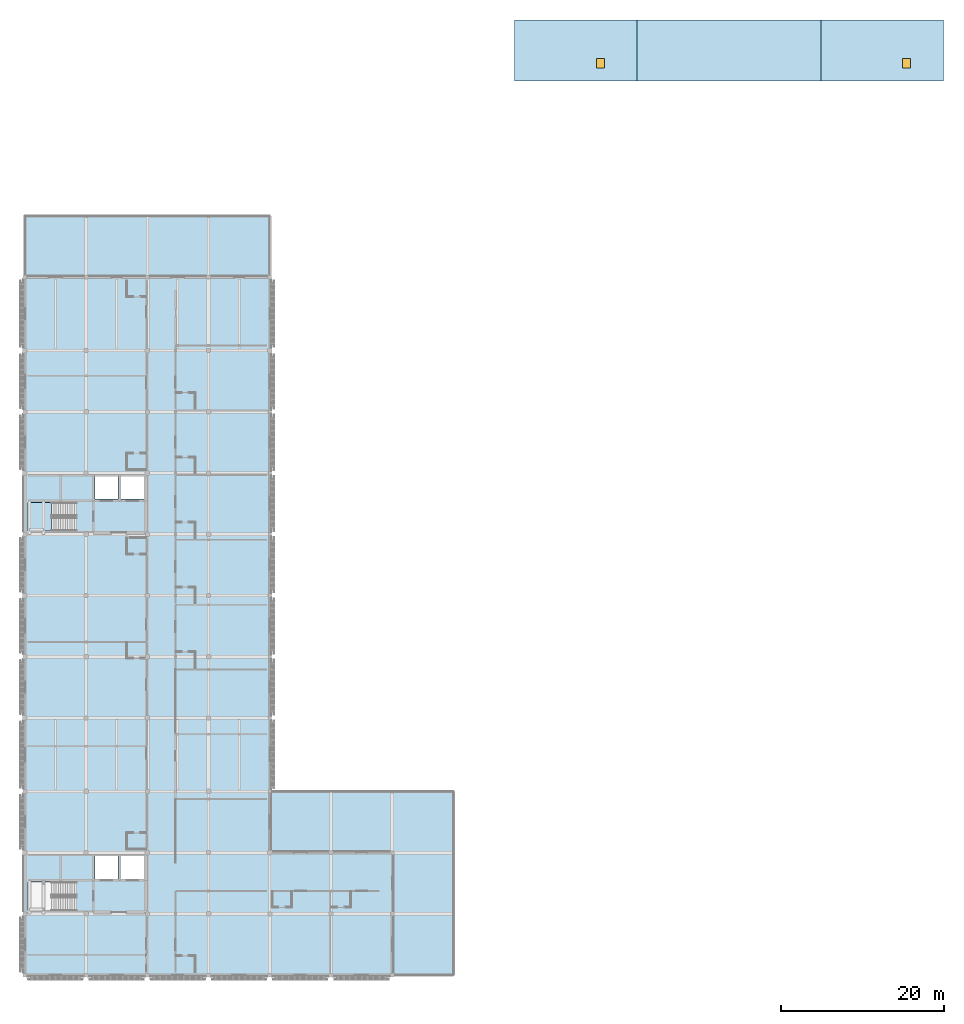
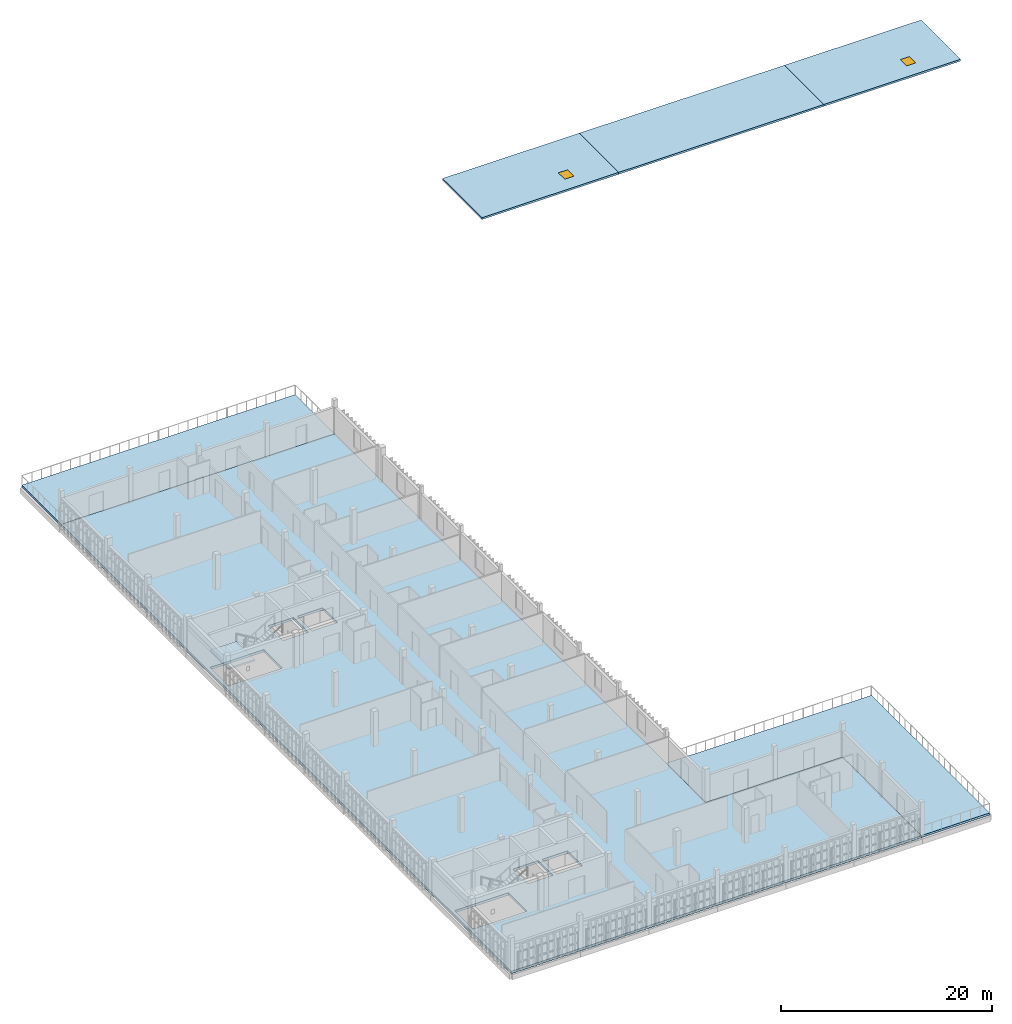
# One storey, part 3 of 17: 7 slabs, 2 doors, 2 openings, 1 element without a shape of its own.
"""IFC4 building model written with IfcOpenShell, lengths in metres."""

from ifc_helpers import new_model, si_unit, direction, frame, origin, origin_2d, place, context, subcontext, project, spatial, polyline, rectangle, outline, extrude, material, layer, layer_set, type_object, element, fill, aggregate, save


model = new_model("IFC4")

# Units and contexts
model_context = context("Model", 3, precision=1e-05, world=origin(), true_north=direction((0.0, 1.0)))
body_context = subcontext(model_context, "Body", "Model", "MODEL_VIEW")
ifc_project = project(units=[si_unit("LENGTHUNIT", "METRE"), si_unit("AREAUNIT", "SQUARE_METRE"), si_unit("VOLUMEUNIT", "CUBIC_METRE"), si_unit("PLANEANGLEUNIT", "RADIAN"), si_unit("MASSUNIT", "GRAM", prefix="KILO")], contexts=[model_context])

# Site, building, storey
site_placement = place(None, origin())
site = spatial("IfcSite", under=ifc_project, at=site_placement, CompositionType="ELEMENT")
building_placement = place(site_placement, origin())
building = spatial("IfcBuilding", under=site, at=building_placement, Name="Dalvernix Boulevard General Hospital", CompositionType="ELEMENT")
storey_placement = place(building_placement, frame((0.0, 0.0, 25.949951171875)))
storey = spatial("IfcBuildingStorey", under=building, at=storey_placement, Name="L06", CompositionType="ELEMENT", Elevation=25.949951171875)

# Slab
ifc_material_1 = material(Name="Concrete C35/45", Category="concrete")
ifc_layer_1 = layer(ifc_material_1, 0.280029296875)
ifc_layer_set_1 = layer_set([ifc_layer_1], Name="Concrete C35/45 (SLB-FS-04)")
slab_type_1 = type_object("IfcSlabType", Name="SLB-FS-04", PredefinedType="FLOOR", material=ifc_layer_set_1)
slab_1_placement = place(storey_placement, frame((0.0, 0.0, -0.280029296875)))
element("IfcSlab", 1, at=slab_1_placement, inside=storey, type_object=slab_type_1, Name="L06 V4 structural floor slab 1", PredefinedType="FLOOR", context=body_context, shape_type="SweptSolid", body=[
    extrude(outline(polyline([(0.0, 69.0), (0.0, 76.5), (0.0, 85.5), (7.5, 85.5), (15.0, 85.5), (22.5, 85.5), (30.0, 85.5), (30.0, 76.5), (30.0, 69.0), (30.0, 61.5), (30.0, 54.0), (30.0, 46.5), (30.0, 39.0), (30.0, 31.5), (30.0, 22.5), (30.0, 15.0), (37.5, 15.0), (45.0, 15.0), (45.0, 7.5), (45.0, 0.0), (37.5, 0.0), (30.0, 0.0), (22.5, 0.0), (15.0, 0.0), (7.5, 0.0), (0.0, 0.0), (0.0, 7.5), (0.0, 15.0), (0.0, 22.5), (0.0, 31.5), (0.0, 39.0), (0.0, 46.5), (0.0, 54.0), (0.0, 61.5), (0.0, 69.0)]), holes=[polyline([(0.39990234375, 11.39990234375), (0.39990234375, 7.89990234375), (6.2900390625, 7.89990234375), (6.2900390625, 11.39990234375), (0.39990234375, 11.39990234375)]), polyline([(11.39990234375, 14.60009765625), (8.60009765625, 14.60009765625), (8.60009765625, 11.800048828125), (11.39990234375, 11.800048828125), (11.39990234375, 14.60009765625)]), polyline([(14.60009765625, 11.800048828125), (14.60009765625, 14.60009765625), (11.800048828125, 14.60009765625), (11.800048828125, 11.800048828125), (14.60009765625, 11.800048828125)]), polyline([(0.39990234375, 54.39990234375), (6.2900390625, 54.39990234375), (6.2900390625, 57.89990234375), (0.39990234375, 57.89990234375), (0.39990234375, 54.39990234375)]), polyline([(8.60009765625, 61.10009765625), (8.60009765625, 58.300048828125), (11.39990234375, 58.300048828125), (11.39990234375, 61.10009765625), (8.60009765625, 61.10009765625)]), polyline([(14.60009765625, 61.10009765625), (11.800048828125, 61.10009765625), (11.800048828125, 58.300048828125), (14.60009765625, 58.300048828125), (14.60009765625, 61.10009765625)])]), origin(), (0.0, 0.0, 1.0), 0.280029296875),
])

# Stair, slab
ifc_material_2 = material(Name="Precast concrete C40/50", Category="concrete")
stair_type = type_object("IfcStairType", Name="IFCSTAIR-STC-165x405", PredefinedType="HALF_TURN_STAIR", material=ifc_material_2)
stair_placement = place(storey_placement, origin())
stair = element("IfcStair", 2, at=stair_placement, inside=storey, type_object=stair_type, Name="L06 Core C2 Exit Stair ST-02", PredefinedType="HALF_TURN_STAIR")
ifc_layer_2 = layer(ifc_material_2, 0.199951171875)
ifc_layer_set_2 = layer_set([ifc_layer_2], Name="Precast concrete C40/50 (SLB-LND-01)")
slab_type_2 = type_object("IfcSlabType", Name="SLB-LND-01", PredefinedType="LANDING", material=ifc_layer_set_2)
slab_2_placement = place(storey_placement, frame((0.0, 0.0, 1.824951171875)))
slab_2 = element("IfcSlab", 3, at=slab_2_placement, type_object=slab_type_2, Name="ST-02 landing 1", PredefinedType="LANDING", context=body_context, shape_type="SweptSolid", body=[
    extrude(outline(polyline([(3.27001953125, 57.89990234375), (0.39990234375, 57.89990234375), (0.39990234375, 54.39990234375), (3.27001953125, 54.39990234375), (3.27001953125, 57.89990234375)])), origin(), (0.0, 0.0, 1.0), 0.2001953125),
])
aggregate(stair, [slab_2])

# Slab, opening, door
ifc_layer_3 = layer(ifc_material_1, 0.219970703125)
ifc_layer_set_3 = layer_set([ifc_layer_3], Name="Concrete C35/45 (SLB-RS-01)")
slab_type_3 = type_object("IfcSlabType", Name="SLB-RS-01", PredefinedType="ROOF", material=ifc_layer_set_3)
slab_3_placement = place(storey_placement, frame((0.0, 0.0, -0.219970703125)))
slab_3 = element("IfcSlab", 4, at=slab_3_placement, inside=storey, type_object=slab_type_3, Name="Core C3 helideck stair and lift headhouse roof", PredefinedType="ROOF", context=body_context, shape_type="SweptSolid", body=[
    extrude(outline(polyline([(60.0, 109.5), (75.0, 109.5), (75.0, 117.0), (60.0, 117.0), (60.0, 109.5)]), holes=[polyline([(70.0, 111.10009765625), (71.0, 111.10009765625), (71.0, 112.300048828125), (70.0, 112.300048828125), (70.0, 111.10009765625)])]), origin(), (0.0, 0.0, 1.0), 0.219970703125),
])
opening_1_placement = place(slab_3_placement, frame((70.5, 111.699951171875, 0.0)))
opening_1 = element("IfcOpeningElement", 5, at=opening_1_placement, cuts=slab_3, Name="Opening RH-01", PredefinedType="OPENING", context=body_context, shape_type="SweptSolid", body=[
    extrude(rectangle(XDim=1.0, YDim=1.199951171875, at=origin_2d()), origin(), (0.0, 0.0, 1.0), 0.219970703125),
])
ifc_material_3 = material(Name="Galvanized painted steel", Category="steel")
door_type = type_object("IfcDoorType", Name="DR-RH-01", OperationType="SINGLE_SWING_LEFT", PredefinedType="TRAPDOOR", material=ifc_material_3)
door_1_placement = place(opening_1_placement, frame((0.0, 0.0, 0.169921875)))
door_1 = element("IfcDoor", 6, at=door_1_placement, inside=storey, type_object=door_type, Name="Core C3 helideck headhouse maintenance hatch", OperationType="SINGLE_SWING_LEFT", OverallHeight=1.199951171875, OverallWidth=1.0, PredefinedType="TRAPDOOR", context=body_context, shape_type="SweptSolid", body=[
    extrude(rectangle(XDim=1.0, YDim=1.199951171875, at=origin_2d()), origin(), (0.0, 0.0, 1.0), 0.050048828125),
])
fill(opening_1, door_1)

slab_4_placement = place(storey_placement, frame((0.0, 0.0, -0.219970703125)))
slab_4 = element("IfcSlab", 7, at=slab_4_placement, inside=storey, type_object=slab_type_3, Name="Core C4 helideck stair and lift headhouse roof", PredefinedType="ROOF", context=body_context, shape_type="SweptSolid", body=[
    extrude(outline(polyline([(97.5, 109.5), (112.5, 109.5), (112.5, 117.0), (97.5, 117.0), (97.5, 109.5)]), holes=[polyline([(107.5, 111.10009765625), (108.5, 111.10009765625), (108.5, 112.300048828125), (107.5, 112.300048828125), (107.5, 111.10009765625)])]), origin(), (0.0, 0.0, 1.0), 0.219970703125),
])
opening_2_placement = place(slab_4_placement, frame((108.0, 111.699951171875, 0.0)))
opening_2 = element("IfcOpeningElement", 8, at=opening_2_placement, cuts=slab_4, Name="Opening RH-01", PredefinedType="OPENING", context=body_context, shape_type="SweptSolid", body=[
    extrude(rectangle(XDim=1.0, YDim=1.199951171875, at=origin_2d()), origin(), (0.0, 0.0, 1.0), 0.219970703125),
])
door_2_placement = place(opening_2_placement, frame((0.0, 0.0, 0.169921875)))
door_2 = element("IfcDoor", 9, at=door_2_placement, inside=storey, type_object=door_type, Name="Core C4 helideck headhouse maintenance hatch", OperationType="SINGLE_SWING_LEFT", OverallHeight=1.199951171875, OverallWidth=1.0, PredefinedType="TRAPDOOR", context=body_context, shape_type="SweptSolid", body=[
    extrude(rectangle(XDim=1.0, YDim=1.199951171875, at=origin_2d()), origin(), (0.0, 0.0, 1.0), 0.050048828125),
])
fill(opening_2, door_2)

# Slabs
slab_5_placement = place(storey_placement, frame((0.0, 0.0, -0.219970703125)))
element("IfcSlab", 10, at=slab_5_placement, inside=storey, type_object=slab_type_3, Name="Helideck transfer lobby roof slab", PredefinedType="ROOF", context=body_context, shape_type="SweptSolid", body=[
    extrude(outline(polyline([(75.0, 109.5), (97.5, 109.5), (97.5, 117.0), (75.0, 117.0), (75.0, 109.5)])), origin(), (0.0, 0.0, 1.0), 0.219970703125),
])
ifc_layer_4 = layer(ifc_material_1, 0.239990234375)
ifc_layer_set_4 = layer_set([ifc_layer_4], Name="Concrete C35/45 (SLB-TS-01)")
slab_type_4 = type_object("IfcSlabType", Name="SLB-TS-01", PredefinedType="FLOOR", material=ifc_layer_set_4)
slab_6_placement = place(storey_placement, frame((0.0, 0.0, -0.239990234375)))
element("IfcSlab", 11, at=slab_6_placement, inside=storey, type_object=slab_type_4, Name="L06 walkable ward roof terrace 1", PredefinedType="FLOOR", context=body_context, shape_type="SweptSolid", body=[
    extrude(outline(polyline([(45.0, 7.5), (45.0, 15.0), (37.5, 15.0), (30.0, 15.0), (30.0, 22.5), (37.5, 22.5), (45.0, 22.5), (52.5, 22.5), (52.5, 15.0), (52.5, 7.5), (52.5, 0.0), (45.0, 0.0), (45.0, 7.5)])), origin(), (0.0, 0.0, 1.0), 0.239990234375),
])
slab_7_placement = place(storey_placement, frame((0.0, 0.0, -0.239990234375)))
element("IfcSlab", 12, at=slab_7_placement, inside=storey, type_object=slab_type_4, Name="L06 walkable ward roof terrace 2", PredefinedType="FLOOR", context=body_context, shape_type="SweptSolid", body=[
    extrude(outline(polyline([(7.5, 93.0), (15.0, 93.0), (22.5, 93.0), (30.0, 93.0), (30.0, 85.5), (22.5, 85.5), (15.0, 85.5), (7.5, 85.5), (0.0, 85.5), (0.0, 93.0), (7.5, 93.0)])), origin(), (0.0, 0.0, 1.0), 0.239990234375),
])

save(model, "model.ifc")
